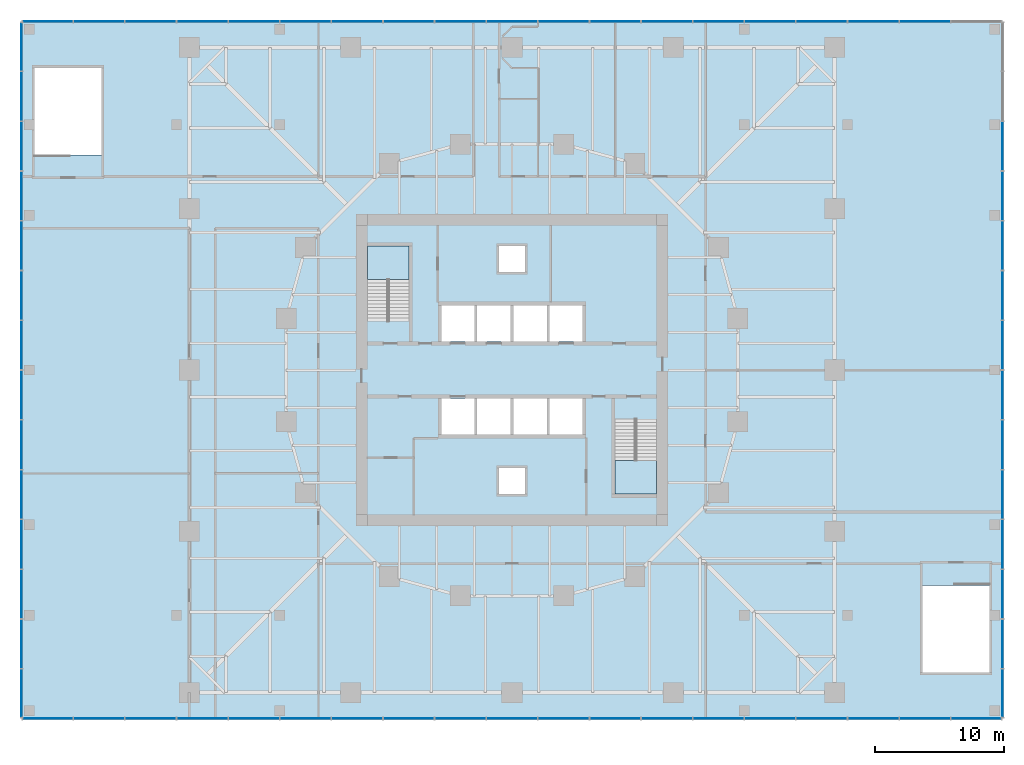
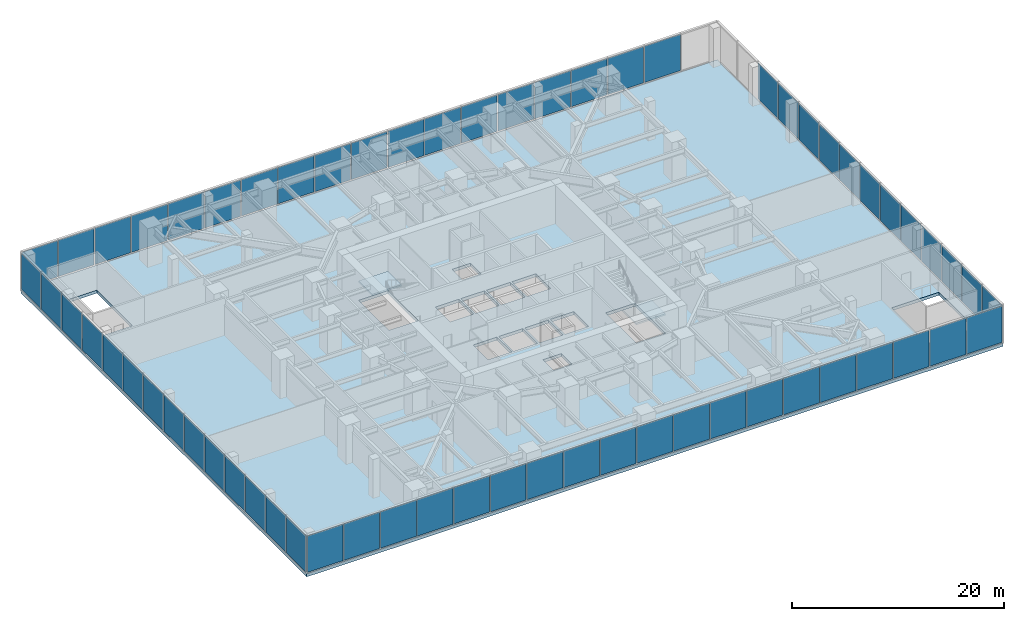
# One storey, part 9 of 14: 63 plates, 3 slabs, 6 elements without a shape of their own.
"""IFC4 building model written with IfcOpenShell, lengths in metres."""

from ifc_helpers import new_model, si_unit, direction, frame, origin, origin_2d, place, context, subcontext, project, spatial, polyline, rectangle, outline, extrude, material, layer, layer_set, type_object, element, aggregate, save


model = new_model("IFC4")

# Units and contexts
model_context = context("Model", 3, precision=1e-05, world=origin(), true_north=direction((0.0, 1.0)))
body_context = subcontext(model_context, "Body", "Model", "MODEL_VIEW")
ifc_project = project(units=[si_unit("LENGTHUNIT", "METRE"), si_unit("AREAUNIT", "SQUARE_METRE"), si_unit("VOLUMEUNIT", "CUBIC_METRE"), si_unit("PLANEANGLEUNIT", "RADIAN"), si_unit("MASSUNIT", "GRAM", prefix="KILO")], contexts=[model_context])

# Site, building, storey
site_placement = place(None, origin())
site = spatial("IfcSite", under=ifc_project, at=site_placement, CompositionType="ELEMENT")
building_placement = place(site_placement, origin())
building = spatial("IfcBuilding", under=site, at=building_placement, Name="Torsade Residences", CompositionType="ELEMENT")
storey_placement = place(building_placement, frame((0.0, 0.0, 10.5)))
storey = spatial("IfcBuildingStorey", under=building, at=storey_placement, Name="L02", CompositionType="ELEMENT", Elevation=10.5)

# Curtain wall, plates
ifc_material_1 = material(Name="Aluminium and glass", Category="aluminium")
curtain_wall_type = type_object("IfcCurtainWallType", Name="PODIUM CURTAIN WALL", PredefinedType="NOTDEFINED", material=ifc_material_1)
curtain_wall_1_placement = place(storey_placement, origin())
curtain_wall_1 = element("IfcCurtainWall", 1, at=curtain_wall_1_placement, inside=storey, type_object=curtain_wall_type, Name="Podium curtain wall L02 S", PredefinedType="NOTDEFINED")
ifc_material_2 = material(Name="Laminated glass", Category="glass")
ifc_layer_1 = layer(ifc_material_2, 0.031982421875)
ifc_layer_set_1 = layer_set([ifc_layer_1], Name="Laminated glass")
plate_type_1 = type_object("IfcPlateType", Name="FRITTED GLASS PANEL", PredefinedType="CURTAIN_PANEL", material=ifc_layer_set_1)
plate_1_placement = place(storey_placement, frame((4.0224609375, 3.0, 0.14990234375), z_axis=(0.0, 0.0, 1.0), x_axis=(1.0, 0.0, 0.0)))
plate_1 = element("IfcPlate", 2, at=plate_1_placement, type_object=plate_type_1, Name="Panel 1", PredefinedType="CURTAIN_PANEL", context=body_context, shape_type="SweptSolid", body=[
    extrude(rectangle(XDim=3.864990234375, YDim=0.031982421875, at=origin_2d()), origin(), (0.0, 0.0, 1.0), 4.199951171875),
])
plate_2_placement = place(storey_placement, frame((12.0, 3.0, 0.14990234375), z_axis=(0.0, 0.0, 1.0), x_axis=(1.0, 0.0, 0.0)))
plate_2 = element("IfcPlate", 3, at=plate_2_placement, type_object=plate_type_1, Name="Panel 3", PredefinedType="CURTAIN_PANEL", context=body_context, shape_type="SweptSolid", body=[
    extrude(rectangle(XDim=3.909912109375, YDim=0.031982421875, at=origin_2d()), origin(), (0.0, 0.0, 1.0), 4.199951171875),
])
plate_3_placement = place(storey_placement, frame((16.0, 3.0, 0.14990234375), z_axis=(0.0, 0.0, 1.0), x_axis=(1.0, 0.0, 0.0)))
plate_3 = element("IfcPlate", 4, at=plate_3_placement, type_object=plate_type_1, Name="Panel 4", PredefinedType="CURTAIN_PANEL", context=body_context, shape_type="SweptSolid", body=[
    extrude(rectangle(XDim=3.909912109375, YDim=0.031982421875, at=origin_2d()), origin(), (0.0, 0.0, 1.0), 4.199951171875),
])
plate_4_placement = place(storey_placement, frame((20.0, 3.0, 0.14990234375), z_axis=(0.0, 0.0, 1.0), x_axis=(1.0, 0.0, 0.0)))
plate_4 = element("IfcPlate", 5, at=plate_4_placement, type_object=plate_type_1, Name="Panel 5", PredefinedType="CURTAIN_PANEL", context=body_context, shape_type="SweptSolid", body=[
    extrude(rectangle(XDim=3.909912109375, YDim=0.031982421875, at=origin_2d()), origin(), (0.0, 0.0, 1.0), 4.199951171875),
])
plate_5_placement = place(storey_placement, frame((24.0, 3.0, 0.14990234375), z_axis=(0.0, 0.0, 1.0), x_axis=(1.0, 0.0, 0.0)))
plate_5 = element("IfcPlate", 6, at=plate_5_placement, type_object=plate_type_1, Name="Panel 6", PredefinedType="CURTAIN_PANEL", context=body_context, shape_type="SweptSolid", body=[
    extrude(rectangle(XDim=3.909912109375, YDim=0.031982421875, at=origin_2d()), origin(), (0.0, 0.0, 1.0), 4.199951171875),
])
plate_6_placement = place(storey_placement, frame((28.0, 3.0, 0.14990234375), z_axis=(0.0, 0.0, 1.0), x_axis=(1.0, 0.0, 0.0)))
plate_6 = element("IfcPlate", 7, at=plate_6_placement, type_object=plate_type_1, Name="Panel 7", PredefinedType="CURTAIN_PANEL", context=body_context, shape_type="SweptSolid", body=[
    extrude(rectangle(XDim=3.909912109375, YDim=0.031982421875, at=origin_2d()), origin(), (0.0, 0.0, 1.0), 4.199951171875),
])
plate_7_placement = place(storey_placement, frame((36.0, 3.0, 0.14990234375), z_axis=(0.0, 0.0, 1.0), x_axis=(1.0, 0.0, 0.0)))
plate_7 = element("IfcPlate", 8, at=plate_7_placement, type_object=plate_type_1, Name="Panel 9", PredefinedType="CURTAIN_PANEL", context=body_context, shape_type="SweptSolid", body=[
    extrude(rectangle(XDim=3.909912109375, YDim=0.031982421875, at=origin_2d()), origin(), (0.0, 0.0, 1.0), 4.199951171875),
])
plate_8_placement = place(storey_placement, frame((40.0, 3.0, 0.14990234375), z_axis=(0.0, 0.0, 1.0), x_axis=(1.0, 0.0, 0.0)))
plate_8 = element("IfcPlate", 9, at=plate_8_placement, type_object=plate_type_1, Name="Panel 10", PredefinedType="CURTAIN_PANEL", context=body_context, shape_type="SweptSolid", body=[
    extrude(rectangle(XDim=3.909912109375, YDim=0.031982421875, at=origin_2d()), origin(), (0.0, 0.0, 1.0), 4.199951171875),
])
plate_9_placement = place(storey_placement, frame((44.0, 3.0, 0.14990234375), z_axis=(0.0, 0.0, 1.0), x_axis=(1.0, 0.0, 0.0)))
plate_9 = element("IfcPlate", 10, at=plate_9_placement, type_object=plate_type_1, Name="Panel 11", PredefinedType="CURTAIN_PANEL", context=body_context, shape_type="SweptSolid", body=[
    extrude(rectangle(XDim=3.909912109375, YDim=0.031982421875, at=origin_2d()), origin(), (0.0, 0.0, 1.0), 4.199951171875),
])
plate_10_placement = place(storey_placement, frame((48.0, 3.0, 0.14990234375), z_axis=(0.0, 0.0, 1.0), x_axis=(1.0, 0.0, 0.0)))
plate_10 = element("IfcPlate", 11, at=plate_10_placement, type_object=plate_type_1, Name="Panel 12", PredefinedType="CURTAIN_PANEL", context=body_context, shape_type="SweptSolid", body=[
    extrude(rectangle(XDim=3.909912109375, YDim=0.031982421875, at=origin_2d()), origin(), (0.0, 0.0, 1.0), 4.199951171875),
])
plate_11_placement = place(storey_placement, frame((52.0, 3.0, 0.14990234375), z_axis=(0.0, 0.0, 1.0), x_axis=(1.0, 0.0, 0.0)))
plate_11 = element("IfcPlate", 12, at=plate_11_placement, type_object=plate_type_1, Name="Panel 13", PredefinedType="CURTAIN_PANEL", context=body_context, shape_type="SweptSolid", body=[
    extrude(rectangle(XDim=3.909912109375, YDim=0.031982421875, at=origin_2d()), origin(), (0.0, 0.0, 1.0), 4.199951171875),
])
plate_12_placement = place(storey_placement, frame((60.0, 3.0, 0.14990234375), z_axis=(0.0, 0.0, 1.0), x_axis=(1.0, 0.0, 0.0)))
plate_12 = element("IfcPlate", 13, at=plate_12_placement, type_object=plate_type_1, Name="Panel 15", PredefinedType="CURTAIN_PANEL", context=body_context, shape_type="SweptSolid", body=[
    extrude(rectangle(XDim=3.909912109375, YDim=0.031982421875, at=origin_2d()), origin(), (0.0, 0.0, 1.0), 4.199951171875),
])
plate_13_placement = place(storey_placement, frame((64.0, 3.0, 0.14990234375), z_axis=(0.0, 0.0, 1.0), x_axis=(1.0, 0.0, 0.0)))
plate_13 = element("IfcPlate", 14, at=plate_13_placement, type_object=plate_type_1, Name="Panel 16", PredefinedType="CURTAIN_PANEL", context=body_context, shape_type="SweptSolid", body=[
    extrude(rectangle(XDim=3.909912109375, YDim=0.031982421875, at=origin_2d()), origin(), (0.0, 0.0, 1.0), 4.199951171875),
])
plate_14_placement = place(storey_placement, frame((68.0, 3.0, 0.14990234375), z_axis=(0.0, 0.0, 1.0), x_axis=(1.0, 0.0, 0.0)))
plate_14 = element("IfcPlate", 15, at=plate_14_placement, type_object=plate_type_1, Name="Panel 17", PredefinedType="CURTAIN_PANEL", context=body_context, shape_type="SweptSolid", body=[
    extrude(rectangle(XDim=3.909912109375, YDim=0.031982421875, at=origin_2d()), origin(), (0.0, 0.0, 1.0), 4.199951171875),
])
plate_15_placement = place(storey_placement, frame((72.0, 3.0, 0.14990234375), z_axis=(0.0, 0.0, 1.0), x_axis=(1.0, 0.0, 0.0)))
plate_15 = element("IfcPlate", 16, at=plate_15_placement, type_object=plate_type_1, Name="Panel 18", PredefinedType="CURTAIN_PANEL", context=body_context, shape_type="SweptSolid", body=[
    extrude(rectangle(XDim=3.909912109375, YDim=0.031982421875, at=origin_2d()), origin(), (0.0, 0.0, 1.0), 4.199951171875),
])
plate_16_placement = place(storey_placement, frame((75.9775390625, 3.0, 0.14990234375), z_axis=(0.0, 0.0, 1.0), x_axis=(1.0, 0.0, 0.0)))
plate_16 = element("IfcPlate", 17, at=plate_16_placement, type_object=plate_type_1, Name="Panel 19", PredefinedType="CURTAIN_PANEL", context=body_context, shape_type="SweptSolid", body=[
    extrude(rectangle(XDim=3.864990234375, YDim=0.031982421875, at=origin_2d()), origin(), (0.0, 0.0, 1.0), 4.199951171875),
])

curtain_wall_2_placement = place(storey_placement, origin())
curtain_wall_2 = element("IfcCurtainWall", 18, at=curtain_wall_2_placement, inside=storey, type_object=curtain_wall_type, Name="Podium curtain wall L02 E", PredefinedType="NOTDEFINED")
plate_17_placement = place(storey_placement, frame((78.0, 4.951171875, 0.14990234375), z_axis=(0.0, 0.0, 1.0), x_axis=(0.0, 1.0, 0.0)))
plate_17 = element("IfcPlate", 19, at=plate_17_placement, type_object=plate_type_1, Name="Panel 1", PredefinedType="CURTAIN_PANEL", context=body_context, shape_type="SweptSolid", body=[
    extrude(rectangle(XDim=3.72216796875, YDim=0.031982421875, at=origin_2d()), origin(), (0.0, 0.0, 1.0), 4.199951171875),
])
plate_18_placement = place(storey_placement, frame((78.0, 12.642822265625, 0.14990234375), z_axis=(0.0, 0.0, 1.0), x_axis=(0.0, 1.0, 0.0)))
plate_18 = element("IfcPlate", 20, at=plate_18_placement, type_object=plate_type_1, Name="Panel 3", PredefinedType="CURTAIN_PANEL", context=body_context, shape_type="SweptSolid", body=[
    extrude(rectangle(XDim=3.76708984375, YDim=0.031982421875, at=origin_2d()), origin(), (0.0, 0.0, 1.0), 4.199951171875),
])
plate_19_placement = place(storey_placement, frame((78.0, 16.5, 0.14990234375), z_axis=(0.0, 0.0, 1.0), x_axis=(0.0, 1.0, 0.0)))
plate_19 = element("IfcPlate", 21, at=plate_19_placement, type_object=plate_type_1, Name="Panel 4", PredefinedType="CURTAIN_PANEL", context=body_context, shape_type="SweptSolid", body=[
    extrude(rectangle(XDim=3.76708984375, YDim=0.031982421875, at=origin_2d()), origin(), (0.0, 0.0, 1.0), 4.199951171875),
])
plate_20_placement = place(storey_placement, frame((78.0, 20.357177734375, 0.14990234375), z_axis=(0.0, 0.0, 1.0), x_axis=(0.0, 1.0, 0.0)))
plate_20 = element("IfcPlate", 22, at=plate_20_placement, type_object=plate_type_1, Name="Panel 5", PredefinedType="CURTAIN_PANEL", context=body_context, shape_type="SweptSolid", body=[
    extrude(rectangle(XDim=3.76708984375, YDim=0.031982421875, at=origin_2d()), origin(), (0.0, 0.0, 1.0), 4.199951171875),
])
plate_21_placement = place(storey_placement, frame((78.0, 24.21435546875, 0.14990234375), z_axis=(0.0, 0.0, 1.0), x_axis=(0.0, 1.0, 0.0)))
plate_21 = element("IfcPlate", 23, at=plate_21_placement, type_object=plate_type_1, Name="Panel 6", PredefinedType="CURTAIN_PANEL", context=body_context, shape_type="SweptSolid", body=[
    extrude(rectangle(XDim=3.76708984375, YDim=0.031982421875, at=origin_2d()), origin(), (0.0, 0.0, 1.0), 4.199951171875),
])
plate_22_placement = place(storey_placement, frame((78.0, 28.071533203125, 0.14990234375), z_axis=(0.0, 0.0, 1.0), x_axis=(0.0, 1.0, 0.0)))
plate_22 = element("IfcPlate", 24, at=plate_22_placement, type_object=plate_type_1, Name="Panel 7", PredefinedType="CURTAIN_PANEL", context=body_context, shape_type="SweptSolid", body=[
    extrude(rectangle(XDim=3.76708984375, YDim=0.031982421875, at=origin_2d()), origin(), (0.0, 0.0, 1.0), 4.199951171875),
])
plate_23_placement = place(storey_placement, frame((78.0, 35.78564453125, 0.14990234375), z_axis=(0.0, 0.0, 1.0), x_axis=(0.0, 1.0, 0.0)))
plate_23 = element("IfcPlate", 25, at=plate_23_placement, type_object=plate_type_1, Name="Panel 9", PredefinedType="CURTAIN_PANEL", context=body_context, shape_type="SweptSolid", body=[
    extrude(rectangle(XDim=3.76708984375, YDim=0.031982421875, at=origin_2d()), origin(), (0.0, 0.0, 1.0), 4.199951171875),
])
plate_24_placement = place(storey_placement, frame((78.0, 39.642822265625, 0.14990234375), z_axis=(0.0, 0.0, 1.0), x_axis=(0.0, 1.0, 0.0)))
plate_24 = element("IfcPlate", 26, at=plate_24_placement, type_object=plate_type_1, Name="Panel 10", PredefinedType="CURTAIN_PANEL", context=body_context, shape_type="SweptSolid", body=[
    extrude(rectangle(XDim=3.76708984375, YDim=0.031982421875, at=origin_2d()), origin(), (0.0, 0.0, 1.0), 4.199951171875),
])
plate_25_placement = place(storey_placement, frame((78.0, 43.5, 0.14990234375), z_axis=(0.0, 0.0, 1.0), x_axis=(0.0, 1.0, 0.0)))
plate_25 = element("IfcPlate", 27, at=plate_25_placement, type_object=plate_type_1, Name="Panel 11", PredefinedType="CURTAIN_PANEL", context=body_context, shape_type="SweptSolid", body=[
    extrude(rectangle(XDim=3.76708984375, YDim=0.031982421875, at=origin_2d()), origin(), (0.0, 0.0, 1.0), 4.199951171875),
])
plate_26_placement = place(storey_placement, frame((78.0, 47.357177734375, 0.14990234375), z_axis=(0.0, 0.0, 1.0), x_axis=(0.0, 1.0, 0.0)))
plate_26 = element("IfcPlate", 28, at=plate_26_placement, type_object=plate_type_1, Name="Panel 12", PredefinedType="CURTAIN_PANEL", context=body_context, shape_type="SweptSolid", body=[
    extrude(rectangle(XDim=3.76708984375, YDim=0.031982421875, at=origin_2d()), origin(), (0.0, 0.0, 1.0), 4.199951171875),
])

curtain_wall_3_placement = place(storey_placement, origin())
curtain_wall_3 = element("IfcCurtainWall", 29, at=curtain_wall_3_placement, inside=storey, type_object=curtain_wall_type, Name="Podium curtain wall L02 N", PredefinedType="NOTDEFINED")
plate_27_placement = place(storey_placement, frame((68.0, 57.0, 0.14990234375), z_axis=(0.0, 0.0, 1.0), x_axis=(-1.0, 0.0, 0.0)))
plate_27 = element("IfcPlate", 30, at=plate_27_placement, type_object=plate_type_1, Name="Panel 3", PredefinedType="CURTAIN_PANEL", context=body_context, shape_type="SweptSolid", body=[
    extrude(rectangle(XDim=3.909912109375, YDim=0.031982421875, at=origin_2d()), origin(), (0.0, 0.0, 1.0), 4.199951171875),
])
plate_28_placement = place(storey_placement, frame((64.0, 57.0, 0.14990234375), z_axis=(0.0, 0.0, 1.0), x_axis=(-1.0, 0.0, 0.0)))
plate_28 = element("IfcPlate", 31, at=plate_28_placement, type_object=plate_type_1, Name="Panel 4", PredefinedType="CURTAIN_PANEL", context=body_context, shape_type="SweptSolid", body=[
    extrude(rectangle(XDim=3.909912109375, YDim=0.031982421875, at=origin_2d()), origin(), (0.0, 0.0, 1.0), 4.199951171875),
])
plate_29_placement = place(storey_placement, frame((60.0, 57.0, 0.14990234375), z_axis=(0.0, 0.0, 1.0), x_axis=(-1.0, 0.0, 0.0)))
plate_29 = element("IfcPlate", 32, at=plate_29_placement, type_object=plate_type_1, Name="Panel 5", PredefinedType="CURTAIN_PANEL", context=body_context, shape_type="SweptSolid", body=[
    extrude(rectangle(XDim=3.909912109375, YDim=0.031982421875, at=origin_2d()), origin(), (0.0, 0.0, 1.0), 4.199951171875),
])
plate_30_placement = place(storey_placement, frame((56.0, 57.0, 0.14990234375), z_axis=(0.0, 0.0, 1.0), x_axis=(-1.0, 0.0, 0.0)))
plate_30 = element("IfcPlate", 33, at=plate_30_placement, type_object=plate_type_1, Name="Panel 6", PredefinedType="CURTAIN_PANEL", context=body_context, shape_type="SweptSolid", body=[
    extrude(rectangle(XDim=3.909912109375, YDim=0.031982421875, at=origin_2d()), origin(), (0.0, 0.0, 1.0), 4.199951171875),
])
plate_31_placement = place(storey_placement, frame((52.0, 57.0, 0.14990234375), z_axis=(0.0, 0.0, 1.0), x_axis=(-1.0, 0.0, 0.0)))
plate_31 = element("IfcPlate", 34, at=plate_31_placement, type_object=plate_type_1, Name="Panel 7", PredefinedType="CURTAIN_PANEL", context=body_context, shape_type="SweptSolid", body=[
    extrude(rectangle(XDim=3.909912109375, YDim=0.031982421875, at=origin_2d()), origin(), (0.0, 0.0, 1.0), 4.199951171875),
])
plate_32_placement = place(storey_placement, frame((44.0, 57.0, 0.14990234375), z_axis=(0.0, 0.0, 1.0), x_axis=(-1.0, 0.0, 0.0)))
plate_32 = element("IfcPlate", 35, at=plate_32_placement, type_object=plate_type_1, Name="Panel 9", PredefinedType="CURTAIN_PANEL", context=body_context, shape_type="SweptSolid", body=[
    extrude(rectangle(XDim=3.909912109375, YDim=0.031982421875, at=origin_2d()), origin(), (0.0, 0.0, 1.0), 4.199951171875),
])
plate_33_placement = place(storey_placement, frame((40.0, 57.0, 0.14990234375), z_axis=(0.0, 0.0, 1.0), x_axis=(-1.0, 0.0, 0.0)))
plate_33 = element("IfcPlate", 36, at=plate_33_placement, type_object=plate_type_1, Name="Panel 10", PredefinedType="CURTAIN_PANEL", context=body_context, shape_type="SweptSolid", body=[
    extrude(rectangle(XDim=3.909912109375, YDim=0.031982421875, at=origin_2d()), origin(), (0.0, 0.0, 1.0), 4.199951171875),
])
plate_34_placement = place(storey_placement, frame((36.0, 57.0, 0.14990234375), z_axis=(0.0, 0.0, 1.0), x_axis=(-1.0, 0.0, 0.0)))
plate_34 = element("IfcPlate", 37, at=plate_34_placement, type_object=plate_type_1, Name="Panel 11", PredefinedType="CURTAIN_PANEL", context=body_context, shape_type="SweptSolid", body=[
    extrude(rectangle(XDim=3.909912109375, YDim=0.031982421875, at=origin_2d()), origin(), (0.0, 0.0, 1.0), 4.199951171875),
])
plate_35_placement = place(storey_placement, frame((32.0, 57.0, 0.14990234375), z_axis=(0.0, 0.0, 1.0), x_axis=(-1.0, 0.0, 0.0)))
plate_35 = element("IfcPlate", 38, at=plate_35_placement, type_object=plate_type_1, Name="Panel 12", PredefinedType="CURTAIN_PANEL", context=body_context, shape_type="SweptSolid", body=[
    extrude(rectangle(XDim=3.909912109375, YDim=0.031982421875, at=origin_2d()), origin(), (0.0, 0.0, 1.0), 4.199951171875),
])
plate_36_placement = place(storey_placement, frame((28.0, 57.0, 0.14990234375), z_axis=(0.0, 0.0, 1.0), x_axis=(-1.0, 0.0, 0.0)))
plate_36 = element("IfcPlate", 39, at=plate_36_placement, type_object=plate_type_1, Name="Panel 13", PredefinedType="CURTAIN_PANEL", context=body_context, shape_type="SweptSolid", body=[
    extrude(rectangle(XDim=3.909912109375, YDim=0.031982421875, at=origin_2d()), origin(), (0.0, 0.0, 1.0), 4.199951171875),
])
plate_37_placement = place(storey_placement, frame((20.0, 57.0, 0.14990234375), z_axis=(0.0, 0.0, 1.0), x_axis=(-1.0, 0.0, 0.0)))
plate_37 = element("IfcPlate", 40, at=plate_37_placement, type_object=plate_type_1, Name="Panel 15", PredefinedType="CURTAIN_PANEL", context=body_context, shape_type="SweptSolid", body=[
    extrude(rectangle(XDim=3.909912109375, YDim=0.031982421875, at=origin_2d()), origin(), (0.0, 0.0, 1.0), 4.199951171875),
])
plate_38_placement = place(storey_placement, frame((16.0, 57.0, 0.14990234375), z_axis=(0.0, 0.0, 1.0), x_axis=(-1.0, 0.0, 0.0)))
plate_38 = element("IfcPlate", 41, at=plate_38_placement, type_object=plate_type_1, Name="Panel 16", PredefinedType="CURTAIN_PANEL", context=body_context, shape_type="SweptSolid", body=[
    extrude(rectangle(XDim=3.909912109375, YDim=0.031982421875, at=origin_2d()), origin(), (0.0, 0.0, 1.0), 4.199951171875),
])
plate_39_placement = place(storey_placement, frame((12.0, 57.0, 0.14990234375), z_axis=(0.0, 0.0, 1.0), x_axis=(-1.0, 0.0, 0.0)))
plate_39 = element("IfcPlate", 42, at=plate_39_placement, type_object=plate_type_1, Name="Panel 17", PredefinedType="CURTAIN_PANEL", context=body_context, shape_type="SweptSolid", body=[
    extrude(rectangle(XDim=3.909912109375, YDim=0.031982421875, at=origin_2d()), origin(), (0.0, 0.0, 1.0), 4.199951171875),
])
plate_40_placement = place(storey_placement, frame((8.0, 57.0, 0.14990234375), z_axis=(0.0, 0.0, 1.0), x_axis=(-1.0, 0.0, 0.0)))
plate_40 = element("IfcPlate", 43, at=plate_40_placement, type_object=plate_type_1, Name="Panel 18", PredefinedType="CURTAIN_PANEL", context=body_context, shape_type="SweptSolid", body=[
    extrude(rectangle(XDim=3.909912109375, YDim=0.031982421875, at=origin_2d()), origin(), (0.0, 0.0, 1.0), 4.199951171875),
])
plate_41_placement = place(storey_placement, frame((4.0224609375, 57.0, 0.14990234375), z_axis=(0.0, 0.0, 1.0), x_axis=(-1.0, 0.0, 0.0)))
plate_41 = element("IfcPlate", 44, at=plate_41_placement, type_object=plate_type_1, Name="Panel 19", PredefinedType="CURTAIN_PANEL", context=body_context, shape_type="SweptSolid", body=[
    extrude(rectangle(XDim=3.864990234375, YDim=0.031982421875, at=origin_2d()), origin(), (0.0, 0.0, 1.0), 4.199951171875),
])

curtain_wall_4_placement = place(storey_placement, origin())
curtain_wall_4 = element("IfcCurtainWall", 45, at=curtain_wall_4_placement, inside=storey, type_object=curtain_wall_type, Name="Podium curtain wall L02 W", PredefinedType="NOTDEFINED")
plate_42_placement = place(storey_placement, frame((2.0, 55.048828125, 0.14990234375), z_axis=(0.0, 0.0, 1.0), x_axis=(0.0, -1.0, 0.0)))
plate_42 = element("IfcPlate", 46, at=plate_42_placement, type_object=plate_type_1, Name="Panel 1", PredefinedType="CURTAIN_PANEL", context=body_context, shape_type="SweptSolid", body=[
    extrude(rectangle(XDim=3.72216796875, YDim=0.031982421875, at=origin_2d()), origin(), (0.0, 0.0, 1.0), 4.199951171875),
])
plate_43_placement = place(storey_placement, frame((2.0, 47.357177734375, 0.14990234375), z_axis=(0.0, 0.0, 1.0), x_axis=(0.0, -1.0, 0.0)))
plate_43 = element("IfcPlate", 47, at=plate_43_placement, type_object=plate_type_1, Name="Panel 3", PredefinedType="CURTAIN_PANEL", context=body_context, shape_type="SweptSolid", body=[
    extrude(rectangle(XDim=3.76708984375, YDim=0.031982421875, at=origin_2d()), origin(), (0.0, 0.0, 1.0), 4.199951171875),
])
plate_44_placement = place(storey_placement, frame((2.0, 43.5, 0.14990234375), z_axis=(0.0, 0.0, 1.0), x_axis=(0.0, -1.0, 0.0)))
plate_44 = element("IfcPlate", 48, at=plate_44_placement, type_object=plate_type_1, Name="Panel 4", PredefinedType="CURTAIN_PANEL", context=body_context, shape_type="SweptSolid", body=[
    extrude(rectangle(XDim=3.76708984375, YDim=0.031982421875, at=origin_2d()), origin(), (0.0, 0.0, 1.0), 4.199951171875),
])
plate_45_placement = place(storey_placement, frame((2.0, 39.642822265625, 0.14990234375), z_axis=(0.0, 0.0, 1.0), x_axis=(0.0, -1.0, 0.0)))
plate_45 = element("IfcPlate", 49, at=plate_45_placement, type_object=plate_type_1, Name="Panel 5", PredefinedType="CURTAIN_PANEL", context=body_context, shape_type="SweptSolid", body=[
    extrude(rectangle(XDim=3.76708984375, YDim=0.031982421875, at=origin_2d()), origin(), (0.0, 0.0, 1.0), 4.199951171875),
])
plate_46_placement = place(storey_placement, frame((2.0, 35.78564453125, 0.14990234375), z_axis=(0.0, 0.0, 1.0), x_axis=(0.0, -1.0, 0.0)))
plate_46 = element("IfcPlate", 50, at=plate_46_placement, type_object=plate_type_1, Name="Panel 6", PredefinedType="CURTAIN_PANEL", context=body_context, shape_type="SweptSolid", body=[
    extrude(rectangle(XDim=3.76708984375, YDim=0.031982421875, at=origin_2d()), origin(), (0.0, 0.0, 1.0), 4.199951171875),
])
plate_47_placement = place(storey_placement, frame((2.0, 31.928466796875, 0.14990234375), z_axis=(0.0, 0.0, 1.0), x_axis=(0.0, -1.0, 0.0)))
plate_47 = element("IfcPlate", 51, at=plate_47_placement, type_object=plate_type_1, Name="Panel 7", PredefinedType="CURTAIN_PANEL", context=body_context, shape_type="SweptSolid", body=[
    extrude(rectangle(XDim=3.76708984375, YDim=0.031982421875, at=origin_2d()), origin(), (0.0, 0.0, 1.0), 4.199951171875),
])
plate_48_placement = place(storey_placement, frame((2.0, 24.21435546875, 0.14990234375), z_axis=(0.0, 0.0, 1.0), x_axis=(0.0, -1.0, 0.0)))
plate_48 = element("IfcPlate", 52, at=plate_48_placement, type_object=plate_type_1, Name="Panel 9", PredefinedType="CURTAIN_PANEL", context=body_context, shape_type="SweptSolid", body=[
    extrude(rectangle(XDim=3.76708984375, YDim=0.031982421875, at=origin_2d()), origin(), (0.0, 0.0, 1.0), 4.199951171875),
])
plate_49_placement = place(storey_placement, frame((2.0, 20.357177734375, 0.14990234375), z_axis=(0.0, 0.0, 1.0), x_axis=(0.0, -1.0, 0.0)))
plate_49 = element("IfcPlate", 53, at=plate_49_placement, type_object=plate_type_1, Name="Panel 10", PredefinedType="CURTAIN_PANEL", context=body_context, shape_type="SweptSolid", body=[
    extrude(rectangle(XDim=3.76708984375, YDim=0.031982421875, at=origin_2d()), origin(), (0.0, 0.0, 1.0), 4.199951171875),
])
plate_50_placement = place(storey_placement, frame((2.0, 16.5, 0.14990234375), z_axis=(0.0, 0.0, 1.0), x_axis=(0.0, -1.0, 0.0)))
plate_50 = element("IfcPlate", 54, at=plate_50_placement, type_object=plate_type_1, Name="Panel 11", PredefinedType="CURTAIN_PANEL", context=body_context, shape_type="SweptSolid", body=[
    extrude(rectangle(XDim=3.76708984375, YDim=0.031982421875, at=origin_2d()), origin(), (0.0, 0.0, 1.0), 4.199951171875),
])
plate_51_placement = place(storey_placement, frame((2.0, 12.642822265625, 0.14990234375), z_axis=(0.0, 0.0, 1.0), x_axis=(0.0, -1.0, 0.0)))
plate_51 = element("IfcPlate", 55, at=plate_51_placement, type_object=plate_type_1, Name="Panel 12", PredefinedType="CURTAIN_PANEL", context=body_context, shape_type="SweptSolid", body=[
    extrude(rectangle(XDim=3.76708984375, YDim=0.031982421875, at=origin_2d()), origin(), (0.0, 0.0, 1.0), 4.199951171875),
])
plate_52_placement = place(storey_placement, frame((2.0, 8.78564453125, 0.14990234375), z_axis=(0.0, 0.0, 1.0), x_axis=(0.0, -1.0, 0.0)))
plate_52 = element("IfcPlate", 56, at=plate_52_placement, type_object=plate_type_1, Name="Panel 13", PredefinedType="CURTAIN_PANEL", context=body_context, shape_type="SweptSolid", body=[
    extrude(rectangle(XDim=3.76708984375, YDim=0.031982421875, at=origin_2d()), origin(), (0.0, 0.0, 1.0), 4.199951171875),
])

# Plate
ifc_material_3 = material(Name="Laminated glass", Category="glass")
ifc_layer_2 = layer(ifc_material_3, 0.0400390625)
ifc_layer_set_2 = layer_set([ifc_layer_2], Name="Laminated glass")
plate_type_2 = type_object("IfcPlateType", Name="OPERABLE VENT PANEL", PredefinedType="CURTAIN_PANEL", material=ifc_layer_set_2)
plate_53_placement = place(storey_placement, frame((8.0, 3.0, 0.14990234375), z_axis=(0.0, 0.0, 1.0), x_axis=(1.0, 0.0, 0.0)))
plate_53 = element("IfcPlate", 57, at=plate_53_placement, type_object=plate_type_2, Name="Panel 2", PredefinedType="CURTAIN_PANEL", context=body_context, shape_type="SweptSolid", body=[
    extrude(rectangle(XDim=3.909912109375, YDim=0.0400390625, at=origin_2d()), origin(), (0.0, 0.0, 1.0), 4.199951171875),
])

plate_54_placement = place(storey_placement, frame((32.0, 3.0, 0.14990234375), z_axis=(0.0, 0.0, 1.0), x_axis=(1.0, 0.0, 0.0)))
plate_54 = element("IfcPlate", 58, at=plate_54_placement, type_object=plate_type_2, Name="Panel 8", PredefinedType="CURTAIN_PANEL", context=body_context, shape_type="SweptSolid", body=[
    extrude(rectangle(XDim=3.909912109375, YDim=0.0400390625, at=origin_2d()), origin(), (0.0, 0.0, 1.0), 4.199951171875),
])

plate_55_placement = place(storey_placement, frame((56.0, 3.0, 0.14990234375), z_axis=(0.0, 0.0, 1.0), x_axis=(1.0, 0.0, 0.0)))
plate_55 = element("IfcPlate", 59, at=plate_55_placement, type_object=plate_type_2, Name="Panel 14", PredefinedType="CURTAIN_PANEL", context=body_context, shape_type="SweptSolid", body=[
    extrude(rectangle(XDim=3.909912109375, YDim=0.0400390625, at=origin_2d()), origin(), (0.0, 0.0, 1.0), 4.199951171875),
])

aggregate(curtain_wall_1, [plate_1, plate_53, plate_2, plate_3, plate_4, plate_5, plate_6, plate_54, plate_7, plate_8, plate_9, plate_10, plate_11, plate_55, plate_12, plate_13, plate_14, plate_15, plate_16])

plate_56_placement = place(storey_placement, frame((78.0, 8.78564453125, 0.14990234375), z_axis=(0.0, 0.0, 1.0), x_axis=(0.0, 1.0, 0.0)))
plate_56 = element("IfcPlate", 60, at=plate_56_placement, type_object=plate_type_2, Name="Panel 2", PredefinedType="CURTAIN_PANEL", context=body_context, shape_type="SweptSolid", body=[
    extrude(rectangle(XDim=3.76708984375, YDim=0.0400390625, at=origin_2d()), origin(), (0.0, 0.0, 1.0), 4.199951171875),
])

plate_57_placement = place(storey_placement, frame((78.0, 31.928466796875, 0.14990234375), z_axis=(0.0, 0.0, 1.0), x_axis=(0.0, 1.0, 0.0)))
plate_57 = element("IfcPlate", 61, at=plate_57_placement, type_object=plate_type_2, Name="Panel 8", PredefinedType="CURTAIN_PANEL", context=body_context, shape_type="SweptSolid", body=[
    extrude(rectangle(XDim=3.76708984375, YDim=0.0400390625, at=origin_2d()), origin(), (0.0, 0.0, 1.0), 4.199951171875),
])

aggregate(curtain_wall_2, [plate_17, plate_56, plate_18, plate_19, plate_20, plate_21, plate_22, plate_57, plate_23, plate_24, plate_25, plate_26])

plate_58_placement = place(storey_placement, frame((72.0, 57.0, 0.14990234375), z_axis=(0.0, 0.0, 1.0), x_axis=(-1.0, 0.0, 0.0)))
plate_58 = element("IfcPlate", 62, at=plate_58_placement, type_object=plate_type_2, Name="Panel 2", PredefinedType="CURTAIN_PANEL", context=body_context, shape_type="SweptSolid", body=[
    extrude(rectangle(XDim=3.909912109375, YDim=0.0400390625, at=origin_2d()), origin(), (0.0, 0.0, 1.0), 4.199951171875),
])

plate_59_placement = place(storey_placement, frame((48.0, 57.0, 0.14990234375), z_axis=(0.0, 0.0, 1.0), x_axis=(-1.0, 0.0, 0.0)))
plate_59 = element("IfcPlate", 63, at=plate_59_placement, type_object=plate_type_2, Name="Panel 8", PredefinedType="CURTAIN_PANEL", context=body_context, shape_type="SweptSolid", body=[
    extrude(rectangle(XDim=3.909912109375, YDim=0.0400390625, at=origin_2d()), origin(), (0.0, 0.0, 1.0), 4.199951171875),
])

plate_60_placement = place(storey_placement, frame((24.0, 57.0, 0.14990234375), z_axis=(0.0, 0.0, 1.0), x_axis=(-1.0, 0.0, 0.0)))
plate_60 = element("IfcPlate", 64, at=plate_60_placement, type_object=plate_type_2, Name="Panel 14", PredefinedType="CURTAIN_PANEL", context=body_context, shape_type="SweptSolid", body=[
    extrude(rectangle(XDim=3.909912109375, YDim=0.0400390625, at=origin_2d()), origin(), (0.0, 0.0, 1.0), 4.199951171875),
])

aggregate(curtain_wall_3, [plate_58, plate_27, plate_28, plate_29, plate_30, plate_31, plate_59, plate_32, plate_33, plate_34, plate_35, plate_36, plate_60, plate_37, plate_38, plate_39, plate_40, plate_41])

plate_61_placement = place(storey_placement, frame((2.0, 51.21435546875, 0.14990234375), z_axis=(0.0, 0.0, 1.0), x_axis=(0.0, -1.0, 0.0)))
plate_61 = element("IfcPlate", 65, at=plate_61_placement, type_object=plate_type_2, Name="Panel 2", PredefinedType="CURTAIN_PANEL", context=body_context, shape_type="SweptSolid", body=[
    extrude(rectangle(XDim=3.76708984375, YDim=0.0400390625, at=origin_2d()), origin(), (0.0, 0.0, 1.0), 4.199951171875),
])

plate_62_placement = place(storey_placement, frame((2.0, 28.071533203125, 0.14990234375), z_axis=(0.0, 0.0, 1.0), x_axis=(0.0, -1.0, 0.0)))
plate_62 = element("IfcPlate", 66, at=plate_62_placement, type_object=plate_type_2, Name="Panel 8", PredefinedType="CURTAIN_PANEL", context=body_context, shape_type="SweptSolid", body=[
    extrude(rectangle(XDim=3.76708984375, YDim=0.0400390625, at=origin_2d()), origin(), (0.0, 0.0, 1.0), 4.199951171875),
])

plate_63_placement = place(storey_placement, frame((2.0, 4.951171875, 0.14990234375), z_axis=(0.0, 0.0, 1.0), x_axis=(0.0, -1.0, 0.0)))
plate_63 = element("IfcPlate", 67, at=plate_63_placement, type_object=plate_type_2, Name="Panel 14", PredefinedType="CURTAIN_PANEL", context=body_context, shape_type="SweptSolid", body=[
    extrude(rectangle(XDim=3.72216796875, YDim=0.0400390625, at=origin_2d()), origin(), (0.0, 0.0, 1.0), 4.199951171875),
])

aggregate(curtain_wall_4, [plate_42, plate_61, plate_43, plate_44, plate_45, plate_46, plate_47, plate_62, plate_48, plate_49, plate_50, plate_51, plate_52, plate_63])

# Slab
ifc_material_4 = material(Name="Concrete 40 MPa", Category="concrete")
ifc_layer_3 = layer(ifc_material_4, 0.35009765625)
ifc_layer_set_3 = layer_set([ifc_layer_3], Name="Concrete 40 MPa")
slab_type_1 = type_object("IfcSlabType", Name="PODIUM FLAT SLAB 350", PredefinedType="FLOOR", material=ifc_layer_set_3)
slab_1_placement = place(storey_placement, frame((0.0, 0.0, -0.35009765625)))
element("IfcSlab", 68, at=slab_1_placement, inside=storey, type_object=slab_type_1, Name="Floor slab L02", PredefinedType="FLOOR", context=body_context, shape_type="SweptSolid", body=[
    extrude(outline(polyline([(78.0, 3.0), (78.0, 57.0), (2.0, 57.0), (2.0, 3.0), (78.0, 3.0)]), holes=[polyline([(28.800048828125, 33.8798828125), (32.0, 33.8798828125), (32.0, 39.60009765625), (28.800048828125, 39.60009765625), (28.800048828125, 33.8798828125)]), polyline([(48.0, 20.39990234375), (51.199951171875, 20.39990234375), (51.199951171875, 26.1201171875), (48.0, 26.1201171875), (48.0, 20.39990234375)]), polyline([(3.0, 46.679931640625), (8.199951171875, 46.679931640625), (8.199951171875, 53.419921875), (3.0, 53.419921875), (3.0, 46.679931640625)]), polyline([(71.800048828125, 6.580078125), (77.0, 6.580078125), (77.0, 13.320068359375), (71.800048828125, 13.320068359375), (71.800048828125, 6.580078125)]), polyline([(34.5, 32.199951171875), (37.10009765625, 32.199951171875), (37.10009765625, 35.0), (34.5, 35.0), (34.5, 32.199951171875)]), polyline([(42.89990234375, 25.0), (45.5, 25.0), (45.5, 27.800048828125), (42.89990234375, 27.800048828125), (42.89990234375, 25.0)]), polyline([(37.300048828125, 32.199951171875), (39.89990234375, 32.199951171875), (39.89990234375, 35.0), (37.300048828125, 35.0), (37.300048828125, 32.199951171875)]), polyline([(40.10009765625, 25.0), (42.699951171875, 25.0), (42.699951171875, 27.800048828125), (40.10009765625, 27.800048828125), (40.10009765625, 25.0)]), polyline([(40.10009765625, 32.199951171875), (42.699951171875, 32.199951171875), (42.699951171875, 35.0), (40.10009765625, 35.0), (40.10009765625, 32.199951171875)]), polyline([(37.300048828125, 25.0), (39.89990234375, 25.0), (39.89990234375, 27.800048828125), (37.300048828125, 27.800048828125), (37.300048828125, 25.0)]), polyline([(42.89990234375, 32.199951171875), (45.5, 32.199951171875), (45.5, 35.0), (42.89990234375, 35.0), (42.89990234375, 32.199951171875)]), polyline([(34.5, 25.0), (37.10009765625, 25.0), (37.10009765625, 27.800048828125), (34.5, 27.800048828125), (34.5, 25.0)]), polyline([(39.0, 37.60009765625), (41.0, 37.60009765625), (41.0, 39.60009765625), (39.0, 39.60009765625), (39.0, 37.60009765625)]), polyline([(39.0, 20.39990234375), (41.0, 20.39990234375), (41.0, 22.39990234375), (39.0, 22.39990234375), (39.0, 20.39990234375)])]), origin(), (0.0, 0.0, 1.0), 0.35009765625),
])

# Stair, slab
ifc_material_5 = material(Name="Precast concrete 40 MPa", Category="concrete")
stair_type = type_object("IfcStairType", Name="HALF-TURN FIRE STAIR 1500x4500", PredefinedType="HALF_TURN_STAIR", material=ifc_material_5)
stair_1_placement = place(storey_placement, origin())
stair_1 = element("IfcStair", 69, at=stair_1_placement, inside=storey, type_object=stair_type, Name="Stair ST1 L02", PredefinedType="HALF_TURN_STAIR")
ifc_material_6 = material(Name="Precast concrete 40 MPa", Category="concrete")
ifc_layer_4 = layer(ifc_material_6, 0.179931640625)
ifc_layer_set_4 = layer_set([ifc_layer_4], Name="Precast concrete 40 MPa")
slab_type_2 = type_object("IfcSlabType", Name="PRECAST STAIR LANDING 180", PredefinedType="LANDING", material=ifc_layer_set_4)
slab_2_placement = place(storey_placement, frame((0.0, 0.0, 2.070068359375)))
slab_2 = element("IfcSlab", 70, at=slab_2_placement, type_object=slab_type_2, Name="ST1 landing 1", PredefinedType="LANDING", context=body_context, shape_type="SweptSolid", body=[
    extrude(outline(polyline([(28.800048828125, 37.02001953125), (32.0, 37.02001953125), (32.0, 39.60009765625), (28.800048828125, 39.60009765625), (28.800048828125, 37.02001953125)])), origin(), (0.0, 0.0, 1.0), 0.179931640625),
])
aggregate(stair_1, [slab_2])

stair_2_placement = place(storey_placement, origin())
stair_2 = element("IfcStair", 71, at=stair_2_placement, inside=storey, type_object=stair_type, Name="Stair ST2 L02", PredefinedType="HALF_TURN_STAIR")
slab_3_placement = place(storey_placement, frame((0.0, 0.0, 2.070068359375)))
slab_3 = element("IfcSlab", 72, at=slab_3_placement, type_object=slab_type_2, Name="ST2 landing 1", PredefinedType="LANDING", context=body_context, shape_type="SweptSolid", body=[
    extrude(outline(polyline([(48.0, 20.39990234375), (51.199951171875, 20.39990234375), (51.199951171875, 22.97998046875), (48.0, 22.97998046875), (48.0, 20.39990234375)])), origin(), (0.0, 0.0, 1.0), 0.179931640625),
])
aggregate(stair_2, [slab_3])

save(model, "model.ifc")
